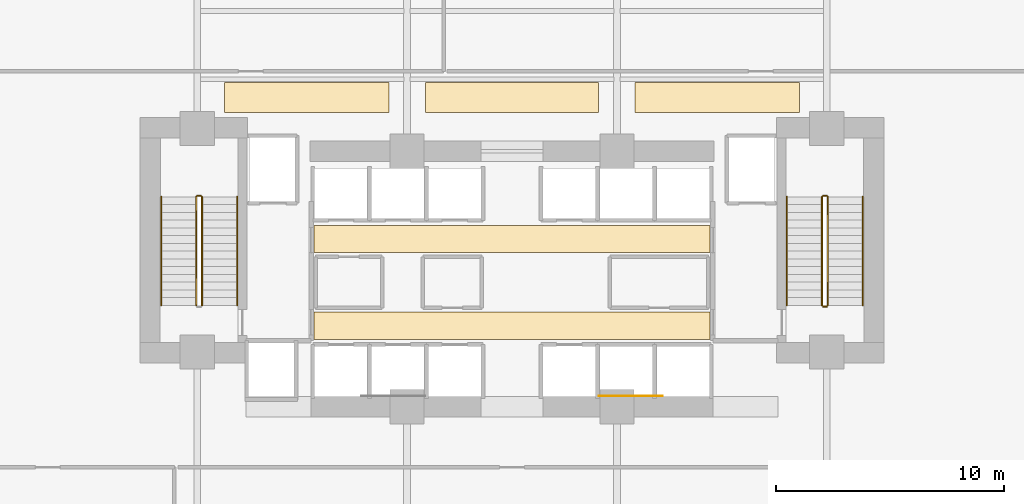
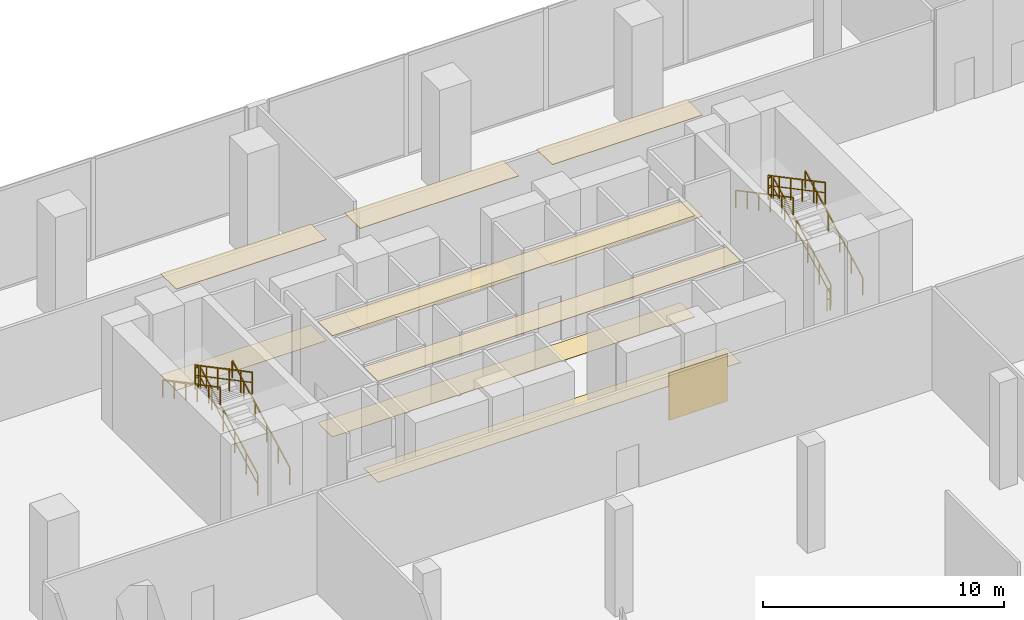
# One storey, part 28 of 30: 11 coverings, 11 railings.
"""IFC4 building model written with IfcOpenShell, lengths in metres."""

import ifcopenshell
import ifcopenshell.guid

model = None  # the IFC model being written
_history = None  # IfcOwnerHistory: only IFC2X3 demands one
_inside = {}  # id of a spatial element -> (the spatial element, [elements in it])
_under = {}  # id of a project, library or spatial element -> (it, [spatial elements below it])
_declared = {}  # id of a project -> (the project, [libraries it declares])
_typed = {}  # id of a type object -> (the type object, [elements of that type])
_made_of = {}  # id of a material, layer set ... -> (it, [elements and type objects made of it])


def new_model(schema):
    """Start an empty IFC model of exactly this schema.

    Asked for "IFC4X3", IfcOpenShell would pick the latest addendum, in which some entities
    have other attributes; the version numbers below select the first issue.
    IFC2X3 requires an IfcOwnerHistory on every rooted entity: one is made here for all.
    """
    global model, _history
    if schema == "IFC4X3":
        model = ifcopenshell.file(schema_version=(4, 3, 0, 0))
    else:
        model = ifcopenshell.file(schema=schema)
    _inside.clear()
    _under.clear()
    _declared.clear()
    _typed.clear()
    _made_of.clear()
    _history = None
    if model.schema == "IFC2X3":
        org = make("IfcOrganization", Name="unknown")
        user = make(
            "IfcPersonAndOrganization",
            ThePerson=make("IfcPerson", FamilyName="unknown"),
            TheOrganization=org,
        )
        app = make(
            "IfcApplication",
            ApplicationDeveloper=org,
            Version="unknown",
            ApplicationFullName="unknown",
            ApplicationIdentifier="unknown",
        )
        _history = make(
            "IfcOwnerHistory",
            OwningUser=user,
            OwningApplication=app,
            ChangeAction="ADDED",
            CreationDate=0,
        )
    return model


def make(cls, **values):
    """One entity of the class cls with the attributes given. An attribute that is None is left unset."""
    return model.create_entity(
        cls, **{name: value for name, value in values.items() if value is not None}
    )


def rooted(cls, **values):
    """An entity with a GlobalId (a new one), such as an element, a storey or a relation."""
    return make(cls, GlobalId=ifcopenshell.guid.new(), OwnerHistory=_history, **values)


def si_unit(unit_type, name, prefix=None):
    """IfcSIUnit, for example si_unit("LENGTHUNIT", "METRE", prefix="MILLI")."""
    return make("IfcSIUnit", UnitType=unit_type, Prefix=prefix, Name=name)


def assignment(units):
    """IfcUnitAssignment: the units of a project."""
    return None if units is None else make("IfcUnitAssignment", Units=units)


def point(xyz):
    """IfcCartesianPoint."""
    return None if xyz is None else make("IfcCartesianPoint", Coordinates=xyz)


def direction(xyz):
    """IfcDirection."""
    return None if xyz is None else make("IfcDirection", DirectionRatios=xyz)


def frame(location, z_axis=None, x_axis=None):
    """IfcAxis2Placement3D, a coordinate frame: its origin and axes. An axis left out is left unset."""
    return make(
        "IfcAxis2Placement3D",
        Location=point(location),
        Axis=direction(z_axis),
        RefDirection=direction(x_axis),
    )


def frame_2d(location, x_axis=None):
    """IfcAxis2Placement2D, a coordinate frame in the plane: its origin and x axis."""
    return make(
        "IfcAxis2Placement2D", Location=point(location), RefDirection=direction(x_axis)
    )


def origin():
    """The frame at (0, 0, 0) with its axes left unset."""
    return frame((0.0, 0.0, 0.0))


def origin_2d():
    """The frame at (0, 0) in the plane with its x axis left unset."""
    return frame_2d((0.0, 0.0))


def place(relative_to, where):
    """IfcLocalPlacement: puts the frame where relative to a parent placement (None: the world)."""
    return make(
        "IfcLocalPlacement", PlacementRelTo=relative_to, RelativePlacement=where
    )


def context(
    kind, dimensions, precision=None, world=None, true_north=None, identifier=None
):
    """IfcGeometricRepresentationContext, for example the 3D "Model" context."""
    return make(
        "IfcGeometricRepresentationContext",
        ContextIdentifier=identifier,
        ContextType=kind,
        CoordinateSpaceDimension=dimensions,
        Precision=precision,
        WorldCoordinateSystem=world,
        TrueNorth=true_north,
    )


def subcontext(parent, identifier, kind, view, scale=None):
    """IfcGeometricRepresentationSubContext, for example "Body" below "Model"."""
    return make(
        "IfcGeometricRepresentationSubContext",
        ContextIdentifier=identifier,
        ContextType=kind,
        ParentContext=parent,
        TargetScale=scale,
        TargetView=view,
    )


def project(units=None, contexts=None):
    """IfcProject with its units and contexts."""
    return rooted(
        "IfcProject",
        Name="project",
        RepresentationContexts=contexts,
        UnitsInContext=assignment(units),
    )


def spatial(cls, under=None, at=None, **own):
    """A site, building, storey or space (cls), placed at a placement, below another one or the project."""
    s = rooted(cls, ObjectPlacement=at, **own)
    if under is not None:
        _under.setdefault(under.id(), (under, []))[1].append(s)
    return s


def polyline(points):
    """IfcPolyline through the points."""
    return make("IfcPolyline", Points=[point(p) for p in points])


def profile(cls, at=None, kind="AREA", **sizes):
    """A parametric profile (cls). Its sizes go by their IFC names, for example OverallWidth=200.0."""
    return make(cls, ProfileType=kind, Position=at, **sizes)


def rectangle(**sizes):
    """IfcRectangleProfileDef."""
    return profile("IfcRectangleProfileDef", **sizes)


def outline(outer, holes=None, kind="AREA"):
    """IfcArbitraryClosedProfileDef: a profile drawn as a closed curve; with holes, ...WithVoids."""
    if holes is None:
        return make("IfcArbitraryClosedProfileDef", ProfileType=kind, OuterCurve=outer)
    return make(
        "IfcArbitraryProfileDefWithVoids",
        ProfileType=kind,
        OuterCurve=outer,
        InnerCurves=holes,
    )


def extrude(swept, where, along, depth):
    """IfcExtrudedAreaSolid: the profile swept, set in the frame where, extruded along a direction by depth."""
    return make(
        "IfcExtrudedAreaSolid",
        SweptArea=swept,
        Position=where,
        ExtrudedDirection=direction(along),
        Depth=depth,
    )


def shape(context_of_items, identifier, shape_type, items):
    """IfcShapeRepresentation: the items that make up one representation, for example the "Body"."""
    return make(
        "IfcShapeRepresentation",
        ContextOfItems=context_of_items,
        RepresentationIdentifier=identifier,
        RepresentationType=shape_type,
        Items=items,
    )


def material(Name=None, Category=None):
    """IfcMaterial."""
    return make("IfcMaterial", Name=Name, Category=Category)


def layer(
    of_material, thickness, ventilated=None, Name=None, Category=None, Priority=None
):
    """IfcMaterialLayer: one layer of a wall or slab, of a material (None: an air gap)."""
    return make(
        "IfcMaterialLayer",
        Material=of_material,
        LayerThickness=thickness,
        IsVentilated=ventilated,
        Name=Name,
        Category=Category,
        Priority=Priority,
    )


def layer_set(layers, Name=None):
    """IfcMaterialLayerSet."""
    return make("IfcMaterialLayerSet", MaterialLayers=layers, LayerSetName=Name)


def made_of(thing, what):
    """Note that an element or type object is made of a material, layer set ...; save() writes the relation."""
    if what is not None:
        _made_of.setdefault(what.id(), (what, []))[1].append(thing)
    return thing


def type_object(cls, material=None, **own):
    """A type object (cls), such as IfcWallType, which elements share."""
    return made_of(rooted(cls, **own), material)


def element(
    cls,
    number,
    at=None,
    inside=None,
    cuts=None,
    type_object=None,
    material=None,
    context=None,
    identifier="Body",
    shape_type=None,
    held_by="IfcProductDefinitionShape",
    body=None,
    shapes=None,
    **own,
):
    """One element of the class cls, such as IfcWall. Its Tag is "e" and its number.

    at: its placement. inside: the storey or other place that contains it. cuts: it is an
    opening in that element (IfcRelVoidsElement). A single representation is given by context,
    identifier, shape_type and body (its items); several are given by shapes. held_by: the class
    of the entity that holds the representations. save() writes the other relations.
    """
    e = rooted(cls, Tag="e%d" % number, ObjectPlacement=at, **own)
    if body is not None:
        shapes = [shape(context, identifier, shape_type, body)]
    if shapes is not None:
        e.Representation = make(held_by, Representations=shapes)
    if inside is not None:
        _inside.setdefault(inside.id(), (inside, []))[1].append(e)
    if cuts is not None:
        rooted(
            "IfcRelVoidsElement", RelatingBuildingElement=cuts, RelatedOpeningElement=e
        )
    if type_object is not None:
        _typed.setdefault(type_object.id(), (type_object, []))[1].append(e)
    return made_of(e, material)


def aggregate(whole, parts):
    """IfcRelAggregates: a whole, such as a stair, and the parts it consists of."""
    return rooted("IfcRelAggregates", RelatingObject=whole, RelatedObjects=parts)


def save(model, path):
    """Write the relations noted so far, then the file.

    IfcRelAggregates (storeys below a building ...), IfcRelContainedInSpatialStructure (elements
    in a storey), IfcRelDefinesByType, IfcRelAssociatesMaterial and IfcRelDeclares: one each for
    every whole, place, type object, material and project.
    """
    for whole, parts in _under.values():
        aggregate(whole, parts)
    for where, things in _inside.values():
        rooted(
            "IfcRelContainedInSpatialStructure",
            RelatedElements=things,
            RelatingStructure=where,
        )
    for kind, things in _typed.values():
        rooted("IfcRelDefinesByType", RelatedObjects=things, RelatingType=kind)
    for what, things in _made_of.values():
        rooted("IfcRelAssociatesMaterial", RelatedObjects=things, RelatingMaterial=what)
    for by, libraries in _declared.values():
        rooted("IfcRelDeclares", RelatingContext=by, RelatedDefinitions=libraries)
    model.write(path)


model = new_model("IFC4")

# Units and contexts
model_context = context("Model", 3, precision=1e-05, world=origin(), true_north=direction((0.0, 1.0)))
body_context = subcontext(model_context, "Body", "Model", "MODEL_VIEW")
ifc_project = project(units=[si_unit("LENGTHUNIT", "METRE"), si_unit("AREAUNIT", "SQUARE_METRE"), si_unit("VOLUMEUNIT", "CUBIC_METRE"), si_unit("PLANEANGLEUNIT", "RADIAN"), si_unit("MASSUNIT", "GRAM", prefix="KILO")], contexts=[model_context])

# Site, building, storey
site_placement = place(None, origin())
site = spatial("IfcSite", under=ifc_project, at=site_placement, CompositionType="ELEMENT")
building_placement = place(site_placement, origin())
building = spatial("IfcBuilding", under=site, at=building_placement, Name="Zuhayl Quay Hotel", CompositionType="ELEMENT")
storey_placement = place(building_placement, frame((0.0, 0.0, 6.0)))
storey = spatial("IfcBuildingStorey", under=building, at=storey_placement, Name="L01", CompositionType="ELEMENT", Elevation=6.0)

# Coverings
ifc_material_1 = material(Name="Acoustic Mineral-Fibre Gypsum Board")
ifc_layer_1 = layer(ifc_material_1, 0.02490234375, Name="Acoustic Mineral-Fibre Gypsum Board")
ifc_layer_set_1 = layer_set([ifc_layer_1], Name="Acoustic Mineral-Fibre Gypsum Board")
covering_type_1 = type_object("IfcCoveringType", Name="CV_CEIL_ACOUSTIC", PredefinedType="CEILING", material=ifc_layer_set_1)
covering_1_placement = place(storey_placement, frame((0.0, 0.0, 5.114990234375)))
element("IfcCovering", 1, at=covering_1_placement, inside=storey, type_object=covering_type_1, Name="L01 Suspended Acoustic Lobby Ceiling S", PredefinedType="CEILING", context=body_context, shape_type="SweptSolid", body=[
    extrude(outline(polyline([(-8.679931640625, 5.10009765625), (8.679931640625, 5.10009765625), (8.679931640625, 6.300048828125), (-8.679931640625, 6.300048828125), (-8.679931640625, 5.10009765625)])), origin(), (0.0, 0.0, 1.0), 0.02490234375),
])
covering_2_placement = place(storey_placement, frame((0.0, 0.0, 5.114990234375)))
element("IfcCovering", 2, at=covering_2_placement, inside=storey, type_object=covering_type_1, Name="L01 Suspended Acoustic Lobby Ceiling N", PredefinedType="CEILING", context=body_context, shape_type="SweptSolid", body=[
    extrude(outline(polyline([(-8.679931640625, 8.89990234375), (8.679931640625, 8.89990234375), (8.679931640625, 10.10009765625), (-8.679931640625, 10.10009765625), (-8.679931640625, 8.89990234375)])), origin(), (0.0, 0.0, 1.0), 0.02490234375),
])
covering_3_placement = place(storey_placement, frame((0.0, 0.0, 5.114990234375)))
element("IfcCovering", 3, at=covering_3_placement, inside=storey, type_object=covering_type_1, Name="L01 Guest Corridor Acoustic Ceiling CW", PredefinedType="CEILING", context=body_context, shape_type="SweptSolid", body=[
    extrude(outline(polyline([(-12.60009765625, 15.050048828125), (-5.39990234375, 15.050048828125), (-5.39990234375, 16.35009765625), (-12.60009765625, 16.35009765625), (-12.60009765625, 15.050048828125)])), origin(), (0.0, 0.0, 1.0), 0.02490234375),
])
covering_4_placement = place(storey_placement, frame((0.0, 0.0, 5.114990234375)))
element("IfcCovering", 4, at=covering_4_placement, inside=storey, type_object=covering_type_1, Name="L01 Guest Corridor Acoustic Ceiling CC", PredefinedType="CEILING", context=body_context, shape_type="SweptSolid", body=[
    extrude(outline(polyline([(-3.800048828125, 15.050048828125), (3.800048828125, 15.050048828125), (3.800048828125, 16.35009765625), (-3.800048828125, 16.35009765625), (-3.800048828125, 15.050048828125)])), origin(), (0.0, 0.0, 1.0), 0.02490234375),
])
covering_5_placement = place(storey_placement, frame((0.0, 0.0, 5.114990234375)))
element("IfcCovering", 5, at=covering_5_placement, inside=storey, type_object=covering_type_1, Name="L01 Guest Corridor Acoustic Ceiling CE", PredefinedType="CEILING", context=body_context, shape_type="SweptSolid", body=[
    extrude(outline(polyline([(5.39990234375, 15.050048828125), (12.60009765625, 15.050048828125), (12.60009765625, 16.35009765625), (5.39990234375, 16.35009765625), (5.39990234375, 15.050048828125)])), origin(), (0.0, 0.0, 1.0), 0.02490234375),
])
ifc_material_2 = material(Name="Polished Limestone Terrazzo", Category="masonry")
ifc_layer_2 = layer(ifc_material_2, 0.02001953125, Name="Polished Limestone Terrazzo", Category="masonry")
ifc_layer_set_2 = layer_set([ifc_layer_2], Name="Polished Limestone Terrazzo")
covering_type_2 = type_object("IfcCoveringType", Name="CV_FLOOR_TERRAZZO", PredefinedType="FLOORING", material=ifc_layer_set_2)
covering_6_placement = place(storey_placement, origin())
element("IfcCovering", 6, at=covering_6_placement, inside=storey, type_object=covering_type_2, Name="L01 Honed Limestone Terrazzo Lobby Flooring S", PredefinedType="FLOORING", context=body_context, shape_type="SweptSolid", body=[
    extrude(outline(polyline([(-8.679931640625, 5.10009765625), (8.679931640625, 5.10009765625), (8.679931640625, 6.300048828125), (-8.679931640625, 6.300048828125), (-8.679931640625, 5.10009765625)])), origin(), (0.0, 0.0, 1.0), 0.02001953125),
])
covering_7_placement = place(storey_placement, origin())
element("IfcCovering", 7, at=covering_7_placement, inside=storey, type_object=covering_type_2, Name="L01 Honed Limestone Terrazzo Lobby Flooring N", PredefinedType="FLOORING", context=body_context, shape_type="SweptSolid", body=[
    extrude(outline(polyline([(-8.679931640625, 8.89990234375), (8.679931640625, 8.89990234375), (8.679931640625, 10.10009765625), (-8.679931640625, 10.10009765625), (-8.679931640625, 8.89990234375)])), origin(), (0.0, 0.0, 1.0), 0.02001953125),
])
covering_8_placement = place(storey_placement, origin())
element("IfcCovering", 8, at=covering_8_placement, inside=storey, type_object=covering_type_2, Name="L01 Guest Corridor Terrazzo Runner CW", PredefinedType="FLOORING", context=body_context, shape_type="SweptSolid", body=[
    extrude(outline(polyline([(-12.60009765625, 15.050048828125), (-5.39990234375, 15.050048828125), (-5.39990234375, 16.35009765625), (-12.60009765625, 16.35009765625), (-12.60009765625, 15.050048828125)])), origin(), (0.0, 0.0, 1.0), 0.02001953125),
])
covering_9_placement = place(storey_placement, origin())
element("IfcCovering", 9, at=covering_9_placement, inside=storey, type_object=covering_type_2, Name="L01 Guest Corridor Terrazzo Runner CC", PredefinedType="FLOORING", context=body_context, shape_type="SweptSolid", body=[
    extrude(outline(polyline([(-3.800048828125, 15.050048828125), (3.800048828125, 15.050048828125), (3.800048828125, 16.35009765625), (-3.800048828125, 16.35009765625), (-3.800048828125, 15.050048828125)])), origin(), (0.0, 0.0, 1.0), 0.02001953125),
])
covering_10_placement = place(storey_placement, origin())
element("IfcCovering", 10, at=covering_10_placement, inside=storey, type_object=covering_type_2, Name="L01 Guest Corridor Terrazzo Runner CE", PredefinedType="FLOORING", context=body_context, shape_type="SweptSolid", body=[
    extrude(outline(polyline([(5.39990234375, 15.050048828125), (12.60009765625, 15.050048828125), (12.60009765625, 16.35009765625), (5.39990234375, 16.35009765625), (5.39990234375, 15.050048828125)])), origin(), (0.0, 0.0, 1.0), 0.02001953125),
])
ifc_material_3 = material(Name="Acoustic Walnut Feature Timber", Category="wood")
ifc_layer_3 = layer(ifc_material_3, 0.02197265625, Name="Acoustic Walnut Feature Timber", Category="wood")
ifc_layer_set_3 = layer_set([ifc_layer_3], Name="Acoustic Walnut Feature Timber")
covering_type_3 = type_object("IfcCoveringType", Name="CV_WALL_CLAD", PredefinedType="CLADDING", material=ifc_layer_set_3)
covering_11_placement = place(storey_placement, frame((5.199951171875, 2.611083984375, 0.300048828125), z_axis=(0.0, 0.0, 1.0), x_axis=(1.0, 0.0, 0.0)))
element("IfcCovering", 11, at=covering_11_placement, inside=storey, type_object=covering_type_3, Name="L01 Feature Lobby Walnut Wall Cladding E", PredefinedType="CLADDING", context=body_context, shape_type="SweptSolid", body=[
    extrude(rectangle(XDim=2.800048828125, YDim=0.02197265625, at=origin_2d()), origin(), (0.0, 0.0, 1.0), 2.39990234375),
])

# Railings
ifc_material_4 = material(Name="Steel ASTM A992 Grade 50", Category="steel")
railing_type_1 = type_object("IfcRailingType", Name="RL_GUARD_1100", PredefinedType="GUARDRAIL", material=ifc_material_4)
railing_1_placement = place(storey_placement, frame((-13.590087890625, 6.590087890625, 0.179931640625)))
element("IfcRailing", 12, at=railing_1_placement, inside=storey, type_object=railing_type_1, Name="L01 ST1 stair guard 1", PredefinedType="GUARDRAIL", context=body_context, shape_type="SweptSolid", body=[
    extrude(rectangle(XDim=0.048095703125, YDim=0.048095703125, at=origin_2d()), frame((0.0, 0.0, 1.09619140625), z_axis=(0.0, 0.883786813738, 0.467889803119), x_axis=(-1.0, 0.0, 0.0)), (0.0, 0.0, 1.0), 5.385986328125),
    extrude(rectangle(XDim=0.0361328125, YDim=0.0361328125, at=origin_2d()), frame((0.0, 0.0, 0.58251953125), z_axis=(0.0, 0.883786813738, 0.467889803119), x_axis=(-1.0, 0.0, 0.0)), (0.0, 0.0, 1.0), 5.385986328125),
    extrude(rectangle(XDim=0.0419921875, YDim=0.0419921875, at=origin_2d()), origin(), (0.0, 0.0, 1.0), 1.072021484375),
    extrude(rectangle(XDim=0.0419921875, YDim=0.0419921875, at=origin_2d()), frame((0.0, 0.951904296875, 0.50390625)), (0.0, 0.0, 1.0), 1.072021484375),
    extrude(rectangle(XDim=0.0419921875, YDim=0.0419921875, at=origin_2d()), frame((0.0, 1.904052734375, 1.008056640625)), (0.0, 0.0, 1.0), 1.072021484375),
    extrude(rectangle(XDim=0.0419921875, YDim=0.0419921875, at=origin_2d()), frame((0.0, 2.85595703125, 1.511962890625)), (0.0, 0.0, 1.0), 1.072021484375),
    extrude(rectangle(XDim=0.0419921875, YDim=0.0419921875, at=origin_2d()), frame((0.0, 3.80810546875, 2.01611328125)), (0.0, 0.0, 1.0), 1.072021484375),
    extrude(rectangle(XDim=0.0419921875, YDim=0.0419921875, at=origin_2d()), frame((0.0, 4.760009765625, 2.52001953125)), (0.0, 0.0, 1.0), 1.072021484375),
])
railing_2_placement = place(storey_placement, frame((-13.639892578125, 11.39990234375, 2.699951171875)))
element("IfcRailing", 13, at=railing_2_placement, inside=storey, type_object=railing_type_1, Name="L01 ST1 stair guard 2", PredefinedType="GUARDRAIL", context=body_context, shape_type="SweptSolid", body=[
    extrude(rectangle(XDim=0.048095703125, YDim=0.048095703125, at=origin_2d()), frame((0.0, 0.0, 1.09619140625), z_axis=(-1.0, 0.0, 0.0), x_axis=(0.0, -1.0, 0.0)), (0.0, 0.0, 1.0), 0.150146484375),
    extrude(rectangle(XDim=0.0361328125, YDim=0.0361328125, at=origin_2d()), frame((0.0, 0.0, 0.58251953125), z_axis=(-1.0, 0.0, 0.0), x_axis=(0.0, -1.0, 0.0)), (0.0, 0.0, 1.0), 0.150146484375),
    extrude(rectangle(XDim=0.0419921875, YDim=0.0419921875, at=origin_2d()), origin(), (0.0, 0.0, 1.0), 1.072021484375),
    extrude(rectangle(XDim=0.0419921875, YDim=0.0419921875, at=origin_2d()), frame((-0.150146484375, 0.0, 0.0)), (0.0, 0.0, 1.0), 1.072021484375),
])
railing_3_placement = place(storey_placement, frame((-13.840087890625, 11.35009765625, 2.8798828125)))
element("IfcRailing", 14, at=railing_3_placement, inside=storey, type_object=railing_type_1, Name="L01 ST1 stair guard 3", PredefinedType="GUARDRAIL", context=body_context, shape_type="SweptSolid", body=[
    extrude(rectangle(XDim=0.048095703125, YDim=0.048095703125, at=origin_2d()), frame((0.0, 0.0, 1.09619140625), z_axis=(0.0, -0.883786813738, 0.467889803119), x_axis=(1.0, 0.0, 0.0)), (0.0, 0.0, 1.0), 5.385986328125),
    extrude(rectangle(XDim=0.0361328125, YDim=0.0361328125, at=origin_2d()), frame((0.0, 0.0, 0.58251953125), z_axis=(0.0, -0.883786813738, 0.467889803119), x_axis=(1.0, 0.0, 0.0)), (0.0, 0.0, 1.0), 5.385986328125),
    extrude(rectangle(XDim=0.0419921875, YDim=0.0419921875, at=origin_2d()), origin(), (0.0, 0.0, 1.0), 1.072021484375),
    extrude(rectangle(XDim=0.0419921875, YDim=0.0419921875, at=origin_2d()), frame((0.0, -0.951904296875, 0.50390625)), (0.0, 0.0, 1.0), 1.072021484375),
    extrude(rectangle(XDim=0.0419921875, YDim=0.0419921875, at=origin_2d()), frame((0.0, -1.904052734375, 1.008056640625)), (0.0, 0.0, 1.0), 1.072021484375),
    extrude(rectangle(XDim=0.0419921875, YDim=0.0419921875, at=origin_2d()), frame((0.0, -2.85595703125, 1.511962890625)), (0.0, 0.0, 1.0), 1.072021484375),
    extrude(rectangle(XDim=0.0419921875, YDim=0.0419921875, at=origin_2d()), frame((0.0, -3.80810546875, 2.01611328125)), (0.0, 0.0, 1.0), 1.072021484375),
    extrude(rectangle(XDim=0.0419921875, YDim=0.0419921875, at=origin_2d()), frame((0.0, -4.760009765625, 2.52001953125)), (0.0, 0.0, 1.0), 1.072021484375),
])
railing_4_placement = place(storey_placement, frame((13.840087890625, 6.590087890625, 0.179931640625)))
element("IfcRailing", 15, at=railing_4_placement, inside=storey, type_object=railing_type_1, Name="L01 ST2 stair guard 1", PredefinedType="GUARDRAIL", context=body_context, shape_type="SweptSolid", body=[
    extrude(rectangle(XDim=0.048095703125, YDim=0.048095703125, at=origin_2d()), frame((0.0, 0.0, 1.09619140625), z_axis=(0.0, 0.883786813738, 0.467889803119), x_axis=(-1.0, 0.0, 0.0)), (0.0, 0.0, 1.0), 5.385986328125),
    extrude(rectangle(XDim=0.0361328125, YDim=0.0361328125, at=origin_2d()), frame((0.0, 0.0, 0.58251953125), z_axis=(0.0, 0.883786813738, 0.467889803119), x_axis=(-1.0, 0.0, 0.0)), (0.0, 0.0, 1.0), 5.385986328125),
    extrude(rectangle(XDim=0.0419921875, YDim=0.0419921875, at=origin_2d()), origin(), (0.0, 0.0, 1.0), 1.072021484375),
    extrude(rectangle(XDim=0.0419921875, YDim=0.0419921875, at=origin_2d()), frame((0.0, 0.951904296875, 0.50390625)), (0.0, 0.0, 1.0), 1.072021484375),
    extrude(rectangle(XDim=0.0419921875, YDim=0.0419921875, at=origin_2d()), frame((0.0, 1.904052734375, 1.008056640625)), (0.0, 0.0, 1.0), 1.072021484375),
    extrude(rectangle(XDim=0.0419921875, YDim=0.0419921875, at=origin_2d()), frame((0.0, 2.85595703125, 1.511962890625)), (0.0, 0.0, 1.0), 1.072021484375),
    extrude(rectangle(XDim=0.0419921875, YDim=0.0419921875, at=origin_2d()), frame((0.0, 3.80810546875, 2.01611328125)), (0.0, 0.0, 1.0), 1.072021484375),
    extrude(rectangle(XDim=0.0419921875, YDim=0.0419921875, at=origin_2d()), frame((0.0, 4.760009765625, 2.52001953125)), (0.0, 0.0, 1.0), 1.072021484375),
])
railing_5_placement = place(storey_placement, frame((13.7900390625, 11.39990234375, 2.699951171875)))
element("IfcRailing", 16, at=railing_5_placement, inside=storey, type_object=railing_type_1, Name="L01 ST2 stair guard 2", PredefinedType="GUARDRAIL", context=body_context, shape_type="SweptSolid", body=[
    extrude(rectangle(XDim=0.048095703125, YDim=0.048095703125, at=origin_2d()), frame((0.0, 0.0, 1.09619140625), z_axis=(-1.0, 0.0, 0.0), x_axis=(0.0, -1.0, 0.0)), (0.0, 0.0, 1.0), 0.150146484375),
    extrude(rectangle(XDim=0.0361328125, YDim=0.0361328125, at=origin_2d()), frame((0.0, 0.0, 0.58251953125), z_axis=(-1.0, 0.0, 0.0), x_axis=(0.0, -1.0, 0.0)), (0.0, 0.0, 1.0), 0.150146484375),
    extrude(rectangle(XDim=0.0419921875, YDim=0.0419921875, at=origin_2d()), origin(), (0.0, 0.0, 1.0), 1.072021484375),
    extrude(rectangle(XDim=0.0419921875, YDim=0.0419921875, at=origin_2d()), frame((-0.150146484375, 0.0, 0.0)), (0.0, 0.0, 1.0), 1.072021484375),
])
railing_6_placement = place(storey_placement, frame((13.590087890625, 11.35009765625, 2.8798828125)))
element("IfcRailing", 17, at=railing_6_placement, inside=storey, type_object=railing_type_1, Name="L01 ST2 stair guard 3", PredefinedType="GUARDRAIL", context=body_context, shape_type="SweptSolid", body=[
    extrude(rectangle(XDim=0.048095703125, YDim=0.048095703125, at=origin_2d()), frame((0.0, 0.0, 1.09619140625), z_axis=(0.0, -0.883786813738, 0.467889803119), x_axis=(1.0, 0.0, 0.0)), (0.0, 0.0, 1.0), 5.385986328125),
    extrude(rectangle(XDim=0.0361328125, YDim=0.0361328125, at=origin_2d()), frame((0.0, 0.0, 0.58251953125), z_axis=(0.0, -0.883786813738, 0.467889803119), x_axis=(1.0, 0.0, 0.0)), (0.0, 0.0, 1.0), 5.385986328125),
    extrude(rectangle(XDim=0.0419921875, YDim=0.0419921875, at=origin_2d()), origin(), (0.0, 0.0, 1.0), 1.072021484375),
    extrude(rectangle(XDim=0.0419921875, YDim=0.0419921875, at=origin_2d()), frame((0.0, -0.951904296875, 0.50390625)), (0.0, 0.0, 1.0), 1.072021484375),
    extrude(rectangle(XDim=0.0419921875, YDim=0.0419921875, at=origin_2d()), frame((0.0, -1.904052734375, 1.008056640625)), (0.0, 0.0, 1.0), 1.072021484375),
    extrude(rectangle(XDim=0.0419921875, YDim=0.0419921875, at=origin_2d()), frame((0.0, -2.85595703125, 1.511962890625)), (0.0, 0.0, 1.0), 1.072021484375),
    extrude(rectangle(XDim=0.0419921875, YDim=0.0419921875, at=origin_2d()), frame((0.0, -3.80810546875, 2.01611328125)), (0.0, 0.0, 1.0), 1.072021484375),
    extrude(rectangle(XDim=0.0419921875, YDim=0.0419921875, at=origin_2d()), frame((0.0, -4.760009765625, 2.52001953125)), (0.0, 0.0, 1.0), 1.072021484375),
])
railing_7_placement = place(storey_placement, frame((13.7900390625, 6.5400390625, 0.0)))
element("IfcRailing", 18, at=railing_7_placement, inside=storey, type_object=railing_type_1, Name="L01 ST2 stair guard 4", PredefinedType="GUARDRAIL", context=body_context, shape_type="SweptSolid", body=[
    extrude(rectangle(XDim=0.048095703125, YDim=0.048095703125, at=origin_2d()), frame((0.0, 0.0, 1.09619140625), z_axis=(-1.0, 0.0, 0.0), x_axis=(0.0, -1.0, 0.0)), (0.0, 0.0, 1.0), 0.150146484375),
    extrude(rectangle(XDim=0.0361328125, YDim=0.0361328125, at=origin_2d()), frame((0.0, 0.0, 0.58251953125), z_axis=(-1.0, 0.0, 0.0), x_axis=(0.0, -1.0, 0.0)), (0.0, 0.0, 1.0), 0.150146484375),
    extrude(rectangle(XDim=0.0419921875, YDim=0.0419921875, at=origin_2d()), origin(), (0.0, 0.0, 1.0), 1.072021484375),
    extrude(rectangle(XDim=0.0419921875, YDim=0.0419921875, at=origin_2d()), frame((-0.150146484375, 0.0, 0.0)), (0.0, 0.0, 1.0), 1.072021484375),
])
railing_type_2 = type_object("IfcRailingType", Name="RL_HANDRAIL_920", PredefinedType="HANDRAIL", material=ifc_material_4)
railing_8_placement = place(storey_placement, frame((-12.050048828125, 6.590087890625, 0.179931640625)))
element("IfcRailing", 19, at=railing_8_placement, inside=storey, type_object=railing_type_2, Name="L01 ST1 stair handrail 1", PredefinedType="HANDRAIL", context=body_context, shape_type="SweptSolid", body=[
    extrude(rectangle(XDim=0.048095703125, YDim=0.048095703125, at=origin_2d()), frame((0.0, 0.0, 0.8759765625), z_axis=(0.0, 0.883786813738, 0.467889803119), x_axis=(-1.0, 0.0, 0.0)), (0.0, 0.0, 1.0), 5.385986328125),
    extrude(rectangle(XDim=0.0419921875, YDim=0.0419921875, at=origin_2d()), origin(), (0.0, 0.0, 1.0), 0.851806640625),
    extrude(rectangle(XDim=0.0419921875, YDim=0.0419921875, at=origin_2d()), frame((0.0, 0.951904296875, 0.50390625)), (0.0, 0.0, 1.0), 0.851806640625),
    extrude(rectangle(XDim=0.0419921875, YDim=0.0419921875, at=origin_2d()), frame((0.0, 1.904052734375, 1.008056640625)), (0.0, 0.0, 1.0), 0.851806640625),
    extrude(rectangle(XDim=0.0419921875, YDim=0.0419921875, at=origin_2d()), frame((0.0, 2.85595703125, 1.511962890625)), (0.0, 0.0, 1.0), 0.851806640625),
    extrude(rectangle(XDim=0.0419921875, YDim=0.0419921875, at=origin_2d()), frame((0.0, 3.80810546875, 2.01611328125)), (0.0, 0.0, 1.0), 0.851806640625),
    extrude(rectangle(XDim=0.0419921875, YDim=0.0419921875, at=origin_2d()), frame((0.0, 4.760009765625, 2.52001953125)), (0.0, 0.0, 1.0), 0.851806640625),
])
railing_9_placement = place(storey_placement, frame((-15.3798828125, 11.35009765625, 2.8798828125)))
element("IfcRailing", 20, at=railing_9_placement, inside=storey, type_object=railing_type_2, Name="L01 ST1 stair handrail 2", PredefinedType="HANDRAIL", context=body_context, shape_type="SweptSolid", body=[
    extrude(rectangle(XDim=0.048095703125, YDim=0.048095703125, at=origin_2d()), frame((0.0, 0.0, 0.8759765625), z_axis=(0.0, -0.883786813738, 0.467889803119), x_axis=(1.0, 0.0, 0.0)), (0.0, 0.0, 1.0), 5.385986328125),
    extrude(rectangle(XDim=0.0419921875, YDim=0.0419921875, at=origin_2d()), origin(), (0.0, 0.0, 1.0), 0.851806640625),
    extrude(rectangle(XDim=0.0419921875, YDim=0.0419921875, at=origin_2d()), frame((0.0, -0.951904296875, 0.50390625)), (0.0, 0.0, 1.0), 0.851806640625),
    extrude(rectangle(XDim=0.0419921875, YDim=0.0419921875, at=origin_2d()), frame((0.0, -1.904052734375, 1.008056640625)), (0.0, 0.0, 1.0), 0.851806640625),
    extrude(rectangle(XDim=0.0419921875, YDim=0.0419921875, at=origin_2d()), frame((0.0, -2.85595703125, 1.511962890625)), (0.0, 0.0, 1.0), 0.851806640625),
    extrude(rectangle(XDim=0.0419921875, YDim=0.0419921875, at=origin_2d()), frame((0.0, -3.80810546875, 2.01611328125)), (0.0, 0.0, 1.0), 0.851806640625),
    extrude(rectangle(XDim=0.0419921875, YDim=0.0419921875, at=origin_2d()), frame((0.0, -4.760009765625, 2.52001953125)), (0.0, 0.0, 1.0), 0.851806640625),
])
railing_10_placement = place(storey_placement, frame((15.3798828125, 6.590087890625, 0.179931640625)))
element("IfcRailing", 21, at=railing_10_placement, inside=storey, type_object=railing_type_2, Name="L01 ST2 stair handrail 1", PredefinedType="HANDRAIL", context=body_context, shape_type="SweptSolid", body=[
    extrude(rectangle(XDim=0.048095703125, YDim=0.048095703125, at=origin_2d()), frame((0.0, 0.0, 0.8759765625), z_axis=(0.0, 0.883786813738, 0.467889803119), x_axis=(-1.0, 0.0, 0.0)), (0.0, 0.0, 1.0), 5.385986328125),
    extrude(rectangle(XDim=0.0419921875, YDim=0.0419921875, at=origin_2d()), origin(), (0.0, 0.0, 1.0), 0.851806640625),
    extrude(rectangle(XDim=0.0419921875, YDim=0.0419921875, at=origin_2d()), frame((0.0, 0.951904296875, 0.50390625)), (0.0, 0.0, 1.0), 0.851806640625),
    extrude(rectangle(XDim=0.0419921875, YDim=0.0419921875, at=origin_2d()), frame((0.0, 1.904052734375, 1.008056640625)), (0.0, 0.0, 1.0), 0.851806640625),
    extrude(rectangle(XDim=0.0419921875, YDim=0.0419921875, at=origin_2d()), frame((0.0, 2.85595703125, 1.511962890625)), (0.0, 0.0, 1.0), 0.851806640625),
    extrude(rectangle(XDim=0.0419921875, YDim=0.0419921875, at=origin_2d()), frame((0.0, 3.80810546875, 2.01611328125)), (0.0, 0.0, 1.0), 0.851806640625),
    extrude(rectangle(XDim=0.0419921875, YDim=0.0419921875, at=origin_2d()), frame((0.0, 4.760009765625, 2.52001953125)), (0.0, 0.0, 1.0), 0.851806640625),
])
railing_11_placement = place(storey_placement, frame((12.050048828125, 11.35009765625, 2.8798828125)))
element("IfcRailing", 22, at=railing_11_placement, inside=storey, type_object=railing_type_2, Name="L01 ST2 stair handrail 2", PredefinedType="HANDRAIL", context=body_context, shape_type="SweptSolid", body=[
    extrude(rectangle(XDim=0.048095703125, YDim=0.048095703125, at=origin_2d()), frame((0.0, 0.0, 0.8759765625), z_axis=(0.0, -0.883786813738, 0.467889803119), x_axis=(1.0, 0.0, 0.0)), (0.0, 0.0, 1.0), 5.385986328125),
    extrude(rectangle(XDim=0.0419921875, YDim=0.0419921875, at=origin_2d()), origin(), (0.0, 0.0, 1.0), 0.851806640625),
    extrude(rectangle(XDim=0.0419921875, YDim=0.0419921875, at=origin_2d()), frame((0.0, -0.951904296875, 0.50390625)), (0.0, 0.0, 1.0), 0.851806640625),
    extrude(rectangle(XDim=0.0419921875, YDim=0.0419921875, at=origin_2d()), frame((0.0, -1.904052734375, 1.008056640625)), (0.0, 0.0, 1.0), 0.851806640625),
    extrude(rectangle(XDim=0.0419921875, YDim=0.0419921875, at=origin_2d()), frame((0.0, -2.85595703125, 1.511962890625)), (0.0, 0.0, 1.0), 0.851806640625),
    extrude(rectangle(XDim=0.0419921875, YDim=0.0419921875, at=origin_2d()), frame((0.0, -3.80810546875, 2.01611328125)), (0.0, 0.0, 1.0), 0.851806640625),
    extrude(rectangle(XDim=0.0419921875, YDim=0.0419921875, at=origin_2d()), frame((0.0, -4.760009765625, 2.52001953125)), (0.0, 0.0, 1.0), 0.851806640625),
])

save(model, "model.ifc")
